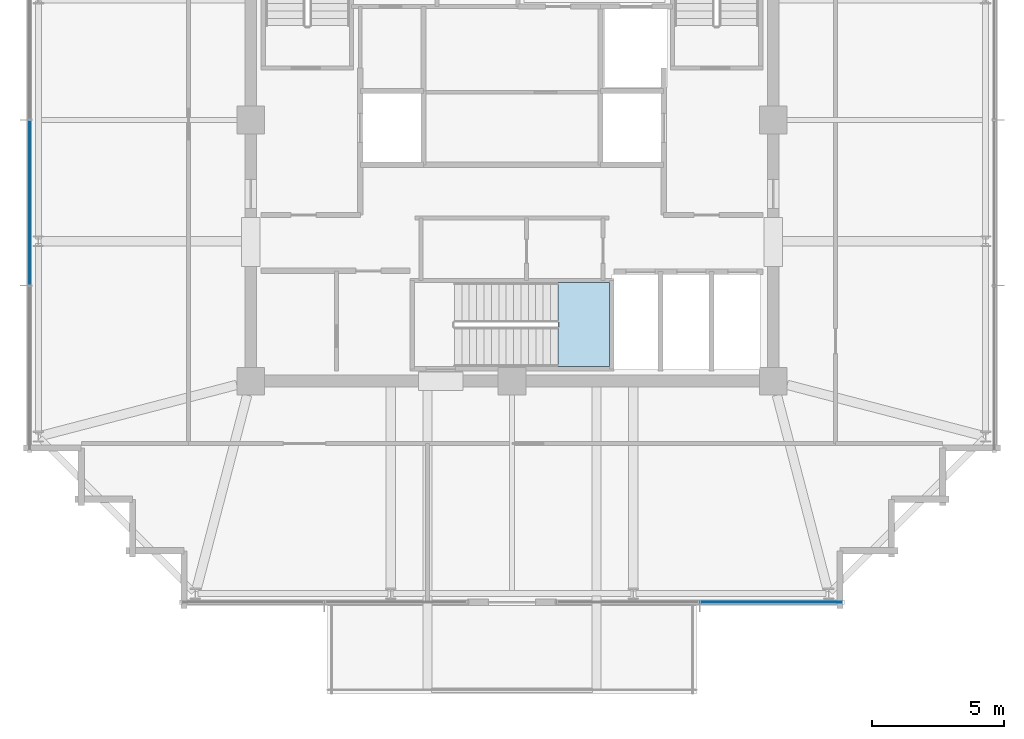
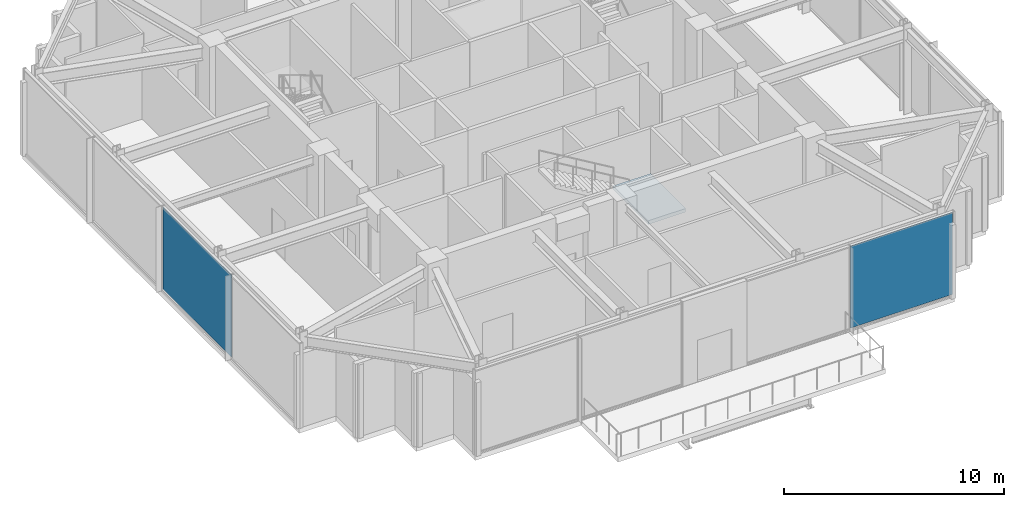
# One storey, part 22 of 31: 2 plates, 1 slab, 3 elements without a shape of their own.
"""IFC4 building model written with IfcOpenShell, lengths in metres."""

from ifc_helpers import new_model, si_unit, direction, frame, origin, origin_2d, place, context, subcontext, project, spatial, polyline, rectangle, outline, extrude, material, layer, layer_set, type_object, element, aggregate, save


model = new_model("IFC4")

# Units and contexts
model_context = context("Model", 3, precision=1e-05, world=origin(), true_north=direction((0.0, 1.0)))
body_context = subcontext(model_context, "Body", "Model", "MODEL_VIEW")
ifc_project = project(units=[si_unit("LENGTHUNIT", "METRE"), si_unit("AREAUNIT", "SQUARE_METRE"), si_unit("VOLUMEUNIT", "CUBIC_METRE"), si_unit("PLANEANGLEUNIT", "RADIAN"), si_unit("MASSUNIT", "GRAM", prefix="KILO")], contexts=[model_context])

# Site, building, storey
site_placement = place(None, origin())
site = spatial("IfcSite", under=ifc_project, at=site_placement, CompositionType="ELEMENT")
building_placement = place(site_placement, origin())
building = spatial("IfcBuilding", under=site, at=building_placement, Name="Kolvaren Belvedere", CompositionType="ELEMENT")
storey_placement = place(building_placement, frame((0.0, 0.0, 267.39990234375)))
storey = spatial("IfcBuildingStorey", under=building, at=storey_placement, Name="L77", CompositionType="ELEMENT", Elevation=267.39990234375)

# Curtain wall, plate
ifc_material_1 = material(Name="Anodised pale-metal aluminium AA 6063-T6", Category="aluminium")
curtain_wall_type = type_object("IfcCurtainWallType", Name="CW-CRN-OBS", PredefinedType="NOTDEFINED", material=ifc_material_1)
curtain_wall_1_placement = place(storey_placement, origin())
curtain_wall_1 = element("IfcCurtainWall", 1, at=curtain_wall_1_placement, inside=storey, type_object=curtain_wall_type, Name="L77 Unitised Curtain Wall FCW-L77-S1", PredefinedType="NOTDEFINED")
ifc_material_2 = material(Name="Low-iron laminated vision glass", Category="glass")
ifc_layer_1 = layer(ifc_material_2, 0.031982421875)
ifc_layer_set_1 = layer_set([ifc_layer_1], Name="Low-iron laminated vision glass")
plate_type = type_object("IfcPlateType", Name="CW-PNL-VIS32", PredefinedType="CURTAIN_PANEL", material=ifc_layer_set_1)
plate_1_placement = place(storey_placement, frame((9.83251953125, -18.280029296875, 0.080078125), z_axis=(0.0, 0.0, 1.0), x_axis=(-1.0, 0.0, 0.0)))
plate_1 = element("IfcPlate", 2, at=plate_1_placement, type_object=plate_type, Name="FCW-L77-S1 Vision Glazing Panel 1", PredefinedType="CURTAIN_PANEL", context=body_context, shape_type="SweptSolid", body=[
    extrude(rectangle(XDim=5.35498046875, YDim=0.031982421875, at=origin_2d()), origin(), (0.0, 0.0, 1.0), 4.5400390625),
])
aggregate(curtain_wall_1, [plate_1])

curtain_wall_2_placement = place(storey_placement, origin())
curtain_wall_2 = element("IfcCurtainWall", 3, at=curtain_wall_2_placement, inside=storey, type_object=curtain_wall_type, Name="L77 Unitised Curtain Wall FCW-L77-W", PredefinedType="NOTDEFINED")
plate_2_placement = place(storey_placement, frame((-18.280029296875, -3.137451171875, 0.080078125), z_axis=(0.0, 0.0, 1.0), x_axis=(0.0, 1.0, 0.0)))
plate_2 = element("IfcPlate", 4, at=plate_2_placement, type_object=plate_type, Name="FCW-L77-W Vision Glazing Panel 2", PredefinedType="CURTAIN_PANEL", context=body_context, shape_type="SweptSolid", body=[
    extrude(rectangle(XDim=6.195068359375, YDim=0.031982421875, at=origin_2d()), origin(), (0.0, 0.0, 1.0), 4.5400390625),
])
aggregate(curtain_wall_2, [plate_2])

# Stair, slab
ifc_material_3 = material(Name="Concrete C50/60", Category="concrete")
stair_type = type_object("IfcStairType", Name="ST-CORE-1520", PredefinedType="HALF_TURN_STAIR", material=ifc_material_3)
stair_placement = place(storey_placement, origin())
stair = element("IfcStair", 5, at=stair_placement, inside=storey, type_object=stair_type, Name="L77 Protected Exit Stair ST-3", PredefinedType="HALF_TURN_STAIR")
ifc_material_4 = material(Name="Concrete C50/60", Category="concrete")
ifc_layer_2 = layer(ifc_material_4, 0.260009765625)
ifc_layer_set_2 = layer_set([ifc_layer_2], Name="Concrete C50/60")
slab_type = type_object("IfcSlabType", Name="SL-LAND-260", PredefinedType="LANDING", material=ifc_layer_set_2)
slab_placement = place(storey_placement, frame((0.0, 0.0, 2.300048828125)))
slab = element("IfcSlab", 6, at=slab_placement, type_object=slab_type, Name="ST-3 landing 1", PredefinedType="LANDING", context=body_context, shape_type="SweptSolid", body=[
    extrude(outline(polyline([(1.739990234375, -9.35009765625), (3.699951171875, -9.35009765625), (3.699951171875, -6.159912109375), (1.739990234375, -6.159912109375), (1.739990234375, -9.35009765625)])), origin(), (0.0, 0.0, 1.0), 0.199951171875),
])
aggregate(stair, [slab])

save(model, "model.ifc")
